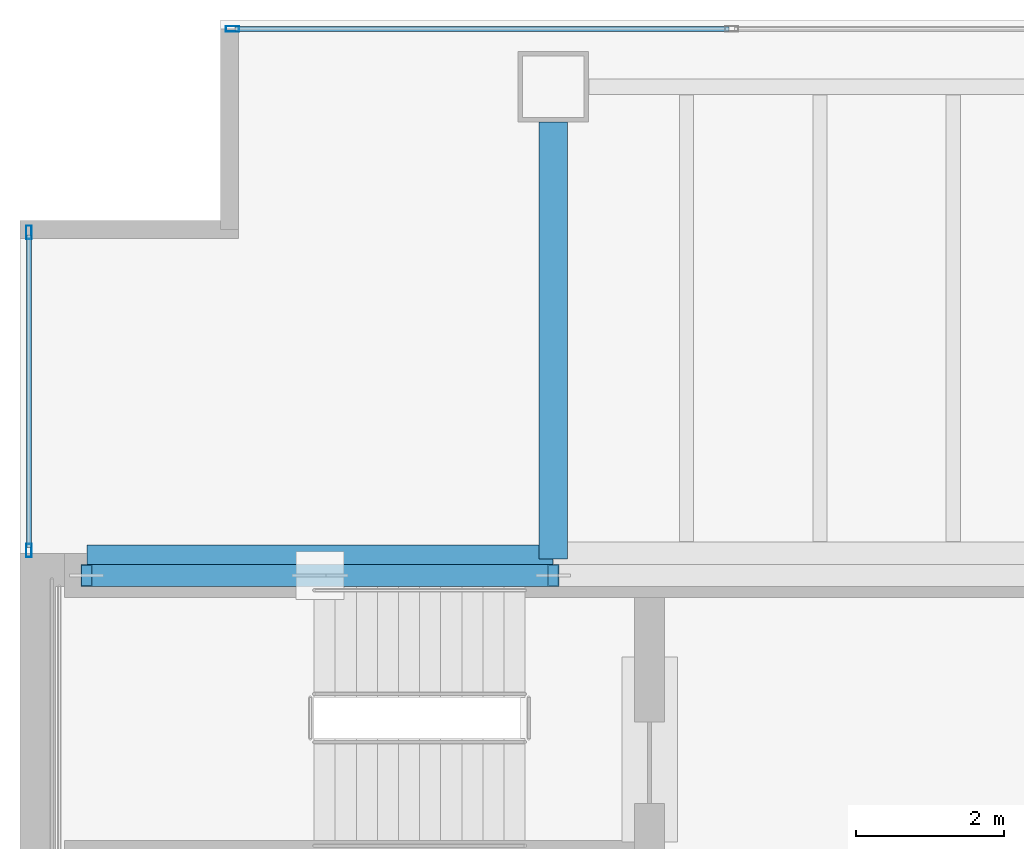
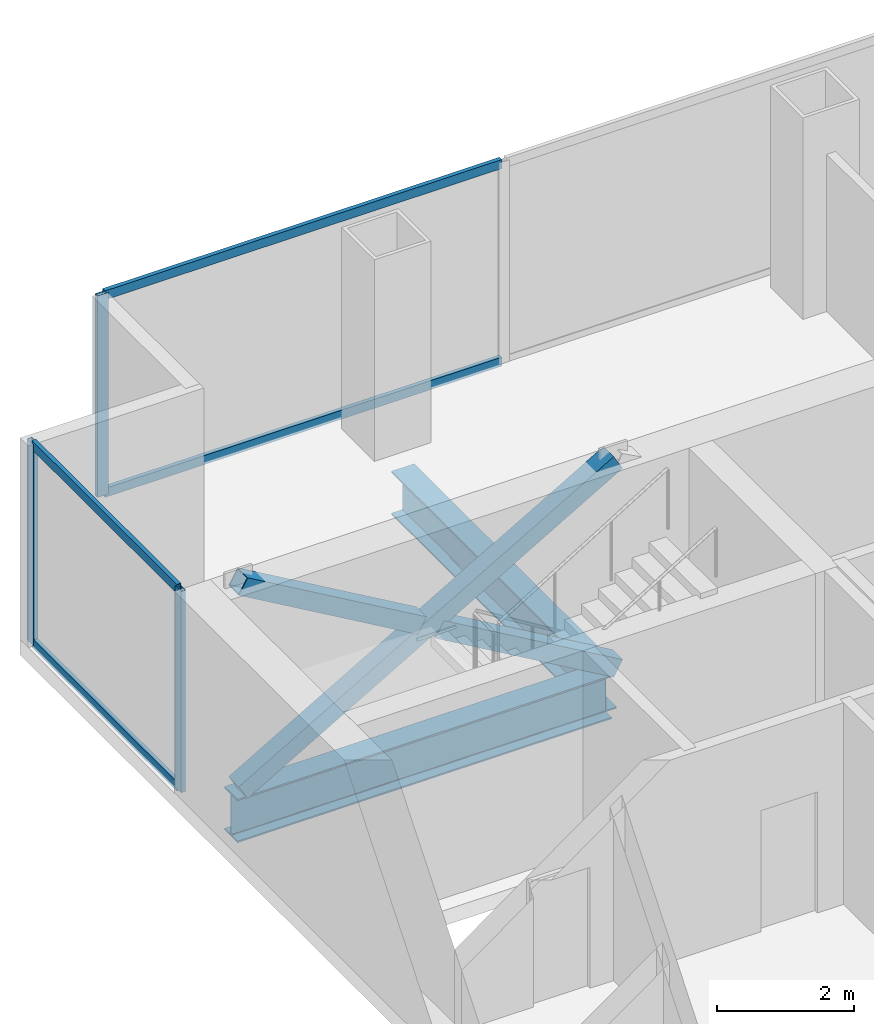
# One storey, part 16 of 23: 10 members, 2 beams, 2 elements without a shape of their own.
"""IFC4 building model written with IfcOpenShell, lengths in metres."""

from ifc_helpers import new_model, si_unit, direction, frame, origin, origin_2d, place, context, subcontext, project, spatial, hollow_rectangle, i_section, extrude, material, material_profile, profile_set, type_object, element, aggregate, save


model = new_model("IFC4")

# Units and contexts
model_context = context("Model", 3, precision=1e-05, world=origin(), true_north=direction((0.0, 1.0)))
body_context = subcontext(model_context, "Body", "Model", "MODEL_VIEW")
ifc_project = project(units=[si_unit("LENGTHUNIT", "METRE"), si_unit("AREAUNIT", "SQUARE_METRE"), si_unit("VOLUMEUNIT", "CUBIC_METRE"), si_unit("PLANEANGLEUNIT", "RADIAN"), si_unit("MASSUNIT", "GRAM", prefix="KILO")], contexts=[model_context])

# Site, building, storey
site_placement = place(None, origin())
site = spatial("IfcSite", under=ifc_project, at=site_placement, CompositionType="ELEMENT")
building_placement = place(site_placement, origin())
building = spatial("IfcBuilding", under=site, at=building_placement, Name="Cobrela Telecom Tower", CompositionType="ELEMENT")
storey_placement = place(building_placement, frame((0.0, 0.0, 109.89990234375)))
storey = spatial("IfcBuildingStorey", under=building, at=storey_placement, Name="L27", CompositionType="ELEMENT", Elevation=109.89990234375)

# Beams
ifc_material_1 = material(Name="Steel ASTM A992 Grade 50", Category="steel")
ifc_material_profile_1 = material_profile(ifc_material_1, i_section(OverallWidth=0.381103515625, OverallDepth=0.77197265625, WebThickness=0.0166015625, FlangeThickness=0.027099609375, FilletRadius=0.01904296875, at=origin_2d()), Name="W30X173")
ifc_profile_set_1 = profile_set([ifc_material_profile_1], Name="Steel ASTM A992 Grade 50")
beam_type = type_object("IfcBeamType", Name="BM-GIRD-04", PredefinedType="USERDEFINED", material=ifc_profile_set_1)
beam_1_placement = place(storey_placement, frame((0.905029296875, 35.919921875, -0.656005859375), z_axis=(1.0, 0.0, 0.0), x_axis=(0.0, 1.0, 0.0)))
element("IfcBeam", 1, at=beam_1_placement, inside=storey, type_object=beam_type, Name="L27 Primary Girder X25", ObjectType="GIRDER", PredefinedType="USERDEFINED", context=body_context, shape_type="SweptSolid", body=[
    extrude(i_section(OverallWidth=0.381103515625, OverallDepth=0.77197265625, WebThickness=0.0166015625, FlangeThickness=0.027099609375, FilletRadius=0.01904296875, at=origin_2d()), origin(), (0.0, 0.0, 1.0), 6.2900390625),
])
beam_2_placement = place(storey_placement, frame((7.199951171875, 35.925048828125, -0.656005859375), z_axis=(0.0, 1.0, 0.0), x_axis=(-1.0, 0.0, 0.0)))
element("IfcBeam", 2, at=beam_2_placement, inside=storey, type_object=beam_type, Name="L27 Primary Girder Y32", ObjectType="GIRDER", PredefinedType="USERDEFINED", context=body_context, shape_type="SweptSolid", body=[
    extrude(i_section(OverallWidth=0.381103515625, OverallDepth=0.77197265625, WebThickness=0.0166015625, FlangeThickness=0.027099609375, FilletRadius=0.01904296875, at=origin_2d()), origin(), (0.0, 0.0, 1.0), 5.89501953125),
])

# Curtain wall, members
ifc_material_2 = material(Name="Anodized Bronze Aluminium 6063-T6", Category="aluminium")
curtain_wall_type = type_object("IfcCurtainWallType", Name="CW-SYS-TEL", PredefinedType="USERDEFINED", material=ifc_material_2)
curtain_wall_1_placement = place(storey_placement, origin())
curtain_wall_1 = element("IfcCurtainWall", 3, at=curtain_wall_1_placement, inside=storey, type_object=curtain_wall_type, Name="L27 Unitised Bronze Curtain Wall 04", ObjectType="UNITISED CURTAIN WALL", PredefinedType="USERDEFINED")
ifc_material_profile_2 = material_profile(ifc_material_2, hollow_rectangle(XDim=0.074951171875, YDim=0.179931640625, WallThickness=0.00390625, at=origin_2d()), Name="ALU 75x180x4")
ifc_profile_set_2 = profile_set([ifc_material_profile_2], Name="Anodized Bronze Aluminium 6063-T6")
member_type_1 = type_object("IfcMemberType", Name="CW-SYS-TEL-MUL", PredefinedType="MULLION", material=ifc_profile_set_2)
member_1_placement = place(storey_placement, frame((0.1201171875, 36.03759765625, 0.0), z_axis=(0.0, 0.0, 1.0), x_axis=(-1.0, 0.0, 0.0)))
member_1 = element("IfcMember", 4, at=member_1_placement, type_object=member_type_1, Name="CW-TEL mullion 1", PredefinedType="MULLION", context=body_context, shape_type="SweptSolid", body=[
    extrude(hollow_rectangle(XDim=0.074951171875, YDim=0.179931640625, WallThickness=0.00390625, at=origin_2d()), origin(), (0.0, 0.0, 1.0), 3.580078125),
])
member_2_placement = place(storey_placement, frame((0.1201171875, 40.33251953125, 0.0), z_axis=(0.0, 0.0, 1.0), x_axis=(-1.0, 0.0, 0.0)))
member_2 = element("IfcMember", 5, at=member_2_placement, type_object=member_type_1, Name="CW-TEL mullion 2", PredefinedType="MULLION", context=body_context, shape_type="SweptSolid", body=[
    extrude(hollow_rectangle(XDim=0.074951171875, YDim=0.179931640625, WallThickness=0.00390625, at=origin_2d()), origin(), (0.0, 0.0, 1.0), 3.580078125),
])

# Curtain wall, member
curtain_wall_2_placement = place(storey_placement, origin())
curtain_wall_2 = element("IfcCurtainWall", 6, at=curtain_wall_2_placement, inside=storey, type_object=curtain_wall_type, Name="L27 Unitised Bronze Curtain Wall 07", ObjectType="UNITISED CURTAIN WALL", PredefinedType="USERDEFINED")
member_3_placement = place(storey_placement, frame((2.867431640625, 43.080078125, 0.0), z_axis=(0.0, 0.0, 1.0), x_axis=(0.0, 1.0, 0.0)))
member_3 = element("IfcMember", 7, at=member_3_placement, type_object=member_type_1, Name="CW-TEL mullion 1", PredefinedType="MULLION", context=body_context, shape_type="SweptSolid", body=[
    extrude(hollow_rectangle(XDim=0.074951171875, YDim=0.179931640625, WallThickness=0.00390625, at=origin_2d()), origin(), (0.0, 0.0, 1.0), 3.580078125),
])

# Member
ifc_material_profile_3 = material_profile(ifc_material_2, hollow_rectangle(XDim=0.070068359375, YDim=0.159912109375, WallThickness=0.00390625, at=origin_2d()), Name="ALU 70x160x4")
ifc_profile_set_3 = profile_set([ifc_material_profile_3], Name="Anodized Bronze Aluminium 6063-T6")
member_type_2 = type_object("IfcMemberType", Name="CW-SYS-TEL-TRN", PredefinedType="USERDEFINED", material=ifc_profile_set_3)
member_4_placement = place(storey_placement, frame((0.1201171875, 36.074951171875, 0.03515625), z_axis=(0.0, 1.0, 0.0), x_axis=(-1.0, 0.0, 0.0)))
member_4 = element("IfcMember", 8, at=member_4_placement, type_object=member_type_2, Name="CW-TEL transom 1.1", ObjectType="TRANSOM", PredefinedType="USERDEFINED", context=body_context, shape_type="SweptSolid", body=[
    extrude(hollow_rectangle(XDim=0.070068359375, YDim=0.159912109375, WallThickness=0.00390625, at=origin_2d()), origin(), (0.0, 0.0, 1.0), 4.219970703125),
])

member_5_placement = place(storey_placement, frame((0.1201171875, 36.074951171875, 3.545166015625), z_axis=(0.0, 1.0, 0.0), x_axis=(-1.0, 0.0, 0.0)))
member_5 = element("IfcMember", 9, at=member_5_placement, type_object=member_type_2, Name="CW-TEL transom 1.2", ObjectType="TRANSOM", PredefinedType="USERDEFINED", context=body_context, shape_type="SweptSolid", body=[
    extrude(hollow_rectangle(XDim=0.070068359375, YDim=0.159912109375, WallThickness=0.00390625, at=origin_2d()), origin(), (0.0, 0.0, 1.0), 4.219970703125),
])

aggregate(curtain_wall_1, [member_1, member_2, member_4, member_5])

member_6_placement = place(storey_placement, frame((2.905029296875, 43.080078125, 0.03515625), z_axis=(1.0, 0.0, 0.0), x_axis=(0.0, 1.0, 0.0)))
member_6 = element("IfcMember", 10, at=member_6_placement, type_object=member_type_2, Name="CW-TEL transom 1.1", ObjectType="TRANSOM", PredefinedType="USERDEFINED", context=body_context, shape_type="SweptSolid", body=[
    extrude(hollow_rectangle(XDim=0.070068359375, YDim=0.159912109375, WallThickness=0.00390625, at=origin_2d()), origin(), (0.0, 0.0, 1.0), 6.66748046875),
])

member_7_placement = place(storey_placement, frame((2.905029296875, 43.080078125, 3.545166015625), z_axis=(1.0, 0.0, 0.0), x_axis=(0.0, 1.0, 0.0)))
member_7 = element("IfcMember", 11, at=member_7_placement, type_object=member_type_2, Name="CW-TEL transom 1.2", ObjectType="TRANSOM", PredefinedType="USERDEFINED", context=body_context, shape_type="SweptSolid", body=[
    extrude(hollow_rectangle(XDim=0.070068359375, YDim=0.159912109375, WallThickness=0.00390625, at=origin_2d()), origin(), (0.0, 0.0, 1.0), 6.66748046875),
])

aggregate(curtain_wall_2, [member_3, member_6, member_7])

# Members
ifc_material_3 = material(Name="Steel ASTM A572 Grade 50", Category="steel")
ifc_material_profile_4 = material_profile(ifc_material_3, hollow_rectangle(XDim=0.300048828125, YDim=0.300048828125, WallThickness=0.01611328125, at=origin_2d()), Name="HSS 300x300x16")
ifc_profile_set_4 = profile_set([ifc_material_profile_4], Name="Steel ASTM A572 Grade 50")
member_type_3 = type_object("IfcMemberType", Name="MBR-EXO-03", PredefinedType="BRACE", material=ifc_profile_set_4)
member_8_placement = place(storey_placement, frame((0.89990234375, 35.699951171875, -0.039794921875), z_axis=(0.864680500519, 0.0, 0.502322239228), x_axis=(0.0, 1.0, 0.0)))
element("IfcMember", 12, at=member_8_placement, inside=storey, type_object=member_type_3, Name="L27 Core Flange Steel X-Brace Continuous A", PredefinedType="BRACE", context=body_context, shape_type="SweptSolid", body=[
    extrude(hollow_rectangle(XDim=0.300048828125, YDim=0.300048828125, WallThickness=0.01611328125, at=origin_2d()), origin(), (0.0, 0.0, 1.0), 7.285888671875),
])
member_9_placement = place(storey_placement, frame((7.199951171875, 35.699951171875, -0.039794921875), z_axis=(-0.864666885148, 0.0, 0.502345675535), x_axis=(0.0, -1.0, 0.0)))
element("IfcMember", 13, at=member_9_placement, inside=storey, type_object=member_type_3, Name="L27 Core Flange Steel X-Brace Split B1", PredefinedType="BRACE", context=body_context, shape_type="SweptSolid", body=[
    extrude(hollow_rectangle(XDim=0.300048828125, YDim=0.300048828125, WallThickness=0.01611328125, at=origin_2d()), origin(), (0.0, 0.0, 1.0), 3.474853515625),
])
member_10_placement = place(storey_placement, frame((3.90478515625, 35.699951171875, 1.87451171875), z_axis=(-0.864684613256, 0.0, 0.502315159634), x_axis=(0.0, -1.0, 0.0)))
element("IfcMember", 14, at=member_10_placement, inside=storey, type_object=member_type_3, Name="L27 Core Flange Steel X-Brace Split B2", PredefinedType="BRACE", context=body_context, shape_type="SweptSolid", body=[
    extrude(hollow_rectangle(XDim=0.300048828125, YDim=0.300048828125, WallThickness=0.01611328125, at=origin_2d()), origin(), (0.0, 0.0, 1.0), 3.47509765625),
])

save(model, "model.ifc")
